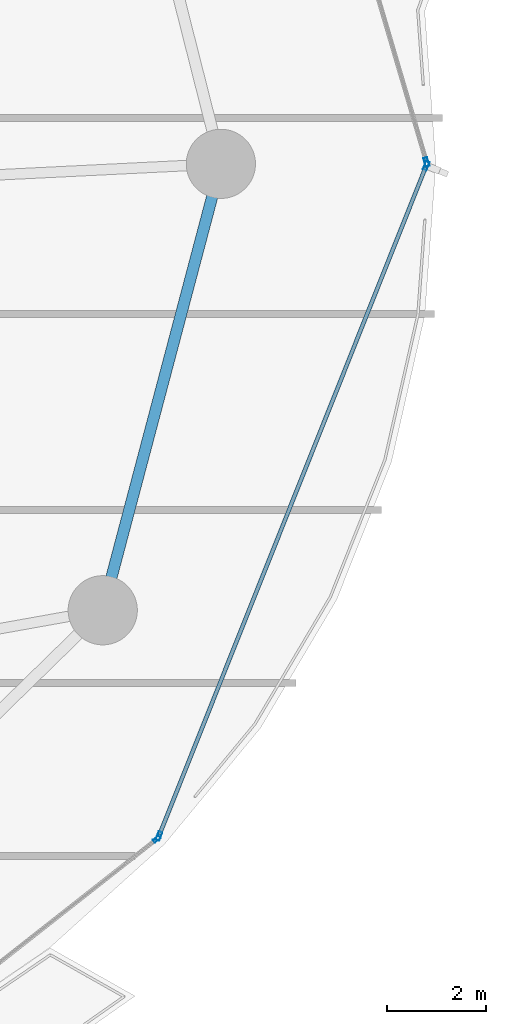
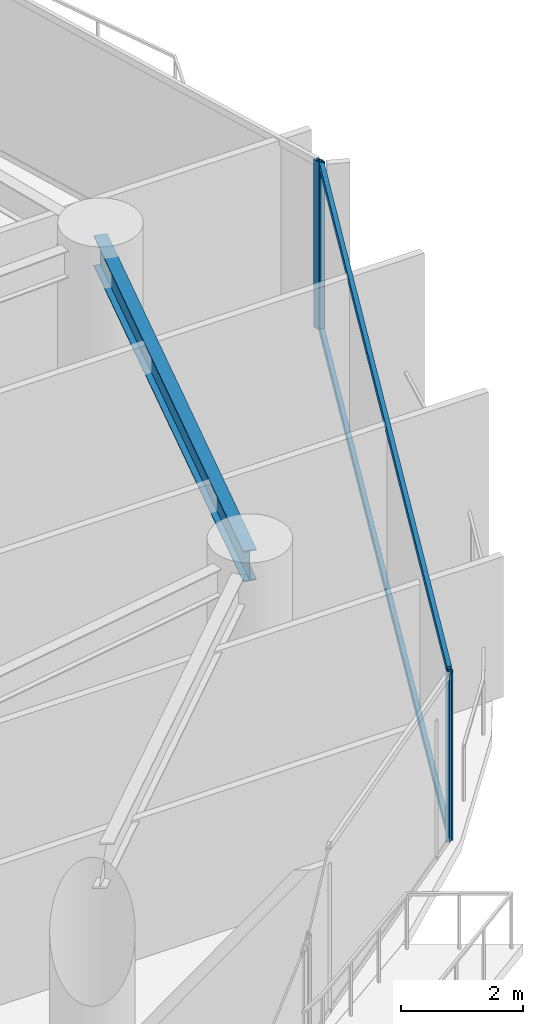
# One storey, part 23 of 33: 6 members, 1 beam, 3 elements without a shape of their own.
"""IFC4 building model written with IfcOpenShell, lengths in metres."""

from ifc_helpers import new_model, si_unit, direction, frame, origin, origin_2d, place, context, subcontext, project, spatial, hollow_rectangle, i_section, extrude, material, layer, layer_set, material_profile, profile_set, type_object, element, aggregate, save


model = new_model("IFC4")

# Units and contexts
model_context = context("Model", 3, precision=1e-05, world=origin(), true_north=direction((0.0, 1.0)))
body_context = subcontext(model_context, "Body", "Model", "MODEL_VIEW")
ifc_project = project(units=[si_unit("LENGTHUNIT", "METRE"), si_unit("AREAUNIT", "SQUARE_METRE"), si_unit("VOLUMEUNIT", "CUBIC_METRE"), si_unit("PLANEANGLEUNIT", "RADIAN"), si_unit("MASSUNIT", "GRAM", prefix="KILO")], contexts=[model_context])

# Site, building, storey
site_placement = place(None, origin())
site = spatial("IfcSite", under=ifc_project, at=site_placement, CompositionType="ELEMENT")
building_placement = place(site_placement, origin())
building = spatial("IfcBuilding", under=site, at=building_placement, Name="Kazevale Care Tower and Concert Hall", CompositionType="ELEMENT")
storey_placement = place(building_placement, frame((0.0, 0.0, 27.60009765625)))
storey = spatial("IfcBuildingStorey", under=building, at=storey_placement, Name="L06", CompositionType="ELEMENT", Elevation=27.60009765625)

# Curtain wall, members
ifc_material_1 = material(Name="Aluminium 6063-T6 and Low-E Glass", Category="aluminium")
ifc_layer_1 = layer(ifc_material_1, 0.179931640625)
ifc_layer_set_1 = layer_set([ifc_layer_1], Name="Aluminium 6063-T6 and Low-E Glass")
curtain_wall_type_1 = type_object("IfcCurtainWallType", Name="Waist & Upper Residential Curtain Wall CW-4", PredefinedType="NOTDEFINED", material=ifc_layer_set_1)
curtain_wall_1_placement = place(storey_placement, origin())
curtain_wall_1 = element("IfcCurtainWall", 1, at=curtain_wall_1_placement, inside=storey, type_object=curtain_wall_type_1, Name="cw:L06:f01", PredefinedType="NOTDEFINED")
ifc_material_2 = material(Name="Aluminium 6063-T6", Category="aluminium")
ifc_material_profile_1 = material_profile(ifc_material_2, hollow_rectangle(XDim=0.080078125, YDim=0.179931640625, WallThickness=0.0048828125, at=origin_2d()), Name="ALU80x180x5")
ifc_profile_set_1 = profile_set([ifc_material_profile_1], Name="Aluminium 6063-T6")
member_type_1 = type_object("IfcMemberType", Name="CW-4 Mullion ALU80x180x5", PredefinedType="MULLION", material=ifc_profile_set_1)
member_1_placement = place(storey_placement, frame((80.605224609375, 37.962890625, 0.0), z_axis=(0.0, 0.0, 1.0), x_axis=(0.928861412274, -0.370427424456, 0.0)))
member_1 = element("IfcMember", 2, at=member_1_placement, type_object=member_type_1, Name="CW-4 mullion 1", PredefinedType="MULLION", context=body_context, shape_type="SweptSolid", body=[
    extrude(hollow_rectangle(XDim=0.080078125, YDim=0.179931640625, WallThickness=0.0048828125, at=origin_2d()), origin(), (0.0, 0.0, 1.0), 3.35986328125),
])
member_2_placement = place(storey_placement, frame((75.19677734375, 24.401123046875, 0.0), z_axis=(0.0, 0.0, 1.0), x_axis=(0.928861412274, -0.370427424456, 0.0)))
member_2 = element("IfcMember", 3, at=member_2_placement, type_object=member_type_1, Name="CW-4 mullion 2", PredefinedType="MULLION", context=body_context, shape_type="SweptSolid", body=[
    extrude(hollow_rectangle(XDim=0.080078125, YDim=0.179931640625, WallThickness=0.0048828125, at=origin_2d()), origin(), (0.0, 0.0, 1.0), 3.35986328125),
])

# Curtain wall, member
curtain_wall_2_placement = place(storey_placement, origin())
curtain_wall_2 = element("IfcCurtainWall", 4, at=curtain_wall_2_placement, inside=storey, type_object=curtain_wall_type_1, Name="cw:L06:f18", PredefinedType="NOTDEFINED")
member_3_placement = place(storey_placement, frame((80.608642578125, 38.038330078125, 0.0), z_axis=(0.0, 0.0, 1.0), x_axis=(0.959173119586, 0.282819600918, 0.0)))
member_3 = element("IfcMember", 5, at=member_3_placement, type_object=member_type_1, Name="CW-4 mullion 2", PredefinedType="MULLION", context=body_context, shape_type="SweptSolid", body=[
    extrude(hollow_rectangle(XDim=0.080078125, YDim=0.179931640625, WallThickness=0.0048828125, at=origin_2d()), origin(), (0.0, 0.0, 1.0), 3.35986328125),
])
aggregate(curtain_wall_2, [member_3])

# Member
ifc_material_profile_2 = material_profile(ifc_material_2, hollow_rectangle(XDim=0.080078125, YDim=0.139892578125, WallThickness=0.00390625, at=origin_2d()), Name="ALU80x140x4")
ifc_profile_set_2 = profile_set([ifc_material_profile_2], Name="Aluminium 6063-T6")
member_type_2 = type_object("IfcMemberType", Name="CW-4 Transom ALU80x140x4", PredefinedType="USERDEFINED", material=ifc_profile_set_2)
member_4_placement = place(storey_placement, frame((80.59033203125, 37.92578125, 0.039794921875), z_axis=(-0.370419345682, -0.928864634026, 0.0), x_axis=(0.928864634026, -0.370419345682, 0.0)))
member_4 = element("IfcMember", 6, at=member_4_placement, type_object=member_type_2, Name="CW-4 transom 1.1", ObjectType="TRANSOM", PredefinedType="USERDEFINED", context=body_context, shape_type="SweptSolid", body=[
    extrude(hollow_rectangle(XDim=0.080078125, YDim=0.139892578125, WallThickness=0.00390625, at=origin_2d()), origin(), (0.0, 0.0, 1.0), 14.5205078125),
])

member_5_placement = place(storey_placement, frame((80.59033203125, 37.92578125, 3.31982421875), z_axis=(-0.370419345682, -0.928864634026, 0.0), x_axis=(0.928864634026, -0.370419345682, 0.0)))
member_5 = element("IfcMember", 7, at=member_5_placement, type_object=member_type_2, Name="CW-4 transom 1.2", ObjectType="TRANSOM", PredefinedType="USERDEFINED", context=body_context, shape_type="SweptSolid", body=[
    extrude(hollow_rectangle(XDim=0.080078125, YDim=0.139892578125, WallThickness=0.00390625, at=origin_2d()), origin(), (0.0, 0.0, 1.0), 14.5205078125),
])

aggregate(curtain_wall_1, [member_1, member_2, member_4, member_5])

# Curtain wall, member
ifc_layer_2 = layer(ifc_material_1, 0.179931640625)
ifc_layer_set_2 = layer_set([ifc_layer_2], Name="Aluminium 6063-T6 and Low-E Glass")
curtain_wall_type_2 = type_object("IfcCurtainWallType", Name="Sheltered Concave Balcony Curtain Wall CW-5", PredefinedType="NOTDEFINED", material=ifc_layer_set_2)
curtain_wall_3_placement = place(storey_placement, origin())
curtain_wall_3 = element("IfcCurtainWall", 8, at=curtain_wall_3_placement, inside=storey, type_object=curtain_wall_type_2, Name="cw:L06:f02", PredefinedType="NOTDEFINED")
ifc_material_profile_3 = material_profile(ifc_material_2, hollow_rectangle(XDim=0.074951171875, YDim=0.14990234375, WallThickness=0.00390625, at=origin_2d()), Name="ALU75x150x4")
ifc_profile_set_3 = profile_set([ifc_material_profile_3], Name="Aluminium 6063-T6")
member_type_3 = type_object("IfcMemberType", Name="CW-5 Mullion ALU75x150x4", PredefinedType="MULLION", material=ifc_profile_set_3)
member_6_placement = place(storey_placement, frame((75.152587890625, 24.3408203125, 0.0), z_axis=(0.0, 0.0, 1.0), x_axis=(0.617807548814, -0.78632934107, 0.0)))
member_6 = element("IfcMember", 9, at=member_6_placement, type_object=member_type_3, Name="CW-5 mullion 1", PredefinedType="MULLION", context=body_context, shape_type="SweptSolid", body=[
    extrude(hollow_rectangle(XDim=0.074951171875, YDim=0.14990234375, WallThickness=0.00390625, at=origin_2d()), origin(), (0.0, 0.0, 1.0), 3.35986328125),
])
aggregate(curtain_wall_3, [member_6])

# Beam
ifc_material_3 = material(Name="Steel ASTM A572 Gr 50", Category="steel")
ifc_material_profile_4 = material_profile(ifc_material_3, i_section(OverallWidth=0.22900390625, OverallDepth=0.612060546875, WebThickness=0.011962890625, FlangeThickness=0.01953125, at=origin_2d()), Name="W610x125")
ifc_profile_set_4 = profile_set([ifc_material_profile_4], Name="Steel ASTM A572 Gr 50")
beam_type = type_object("IfcBeamType", Name="Ring Spandrel Beam W610x125", PredefinedType="SPANDREL", material=ifc_profile_set_4)
beam_placement = place(storey_placement, frame((74.06005859375, 28.969970703125, 3.053955078125), z_axis=(0.255851611973, 0.966716066201, 0.0), x_axis=(-0.966716066201, 0.255851611973, 0.0)))
element("IfcBeam", 10, at=beam_placement, inside=storey, type_object=beam_type, Name="beam:L06:ring:16", PredefinedType="SPANDREL", context=body_context, shape_type="SweptSolid", body=[
    extrude(i_section(OverallWidth=0.22900390625, OverallDepth=0.612060546875, WebThickness=0.011962890625, FlangeThickness=0.01953125, at=origin_2d()), origin(), (0.0, 0.0, 1.0), 9.3408203125),
])

save(model, "model.ifc")
